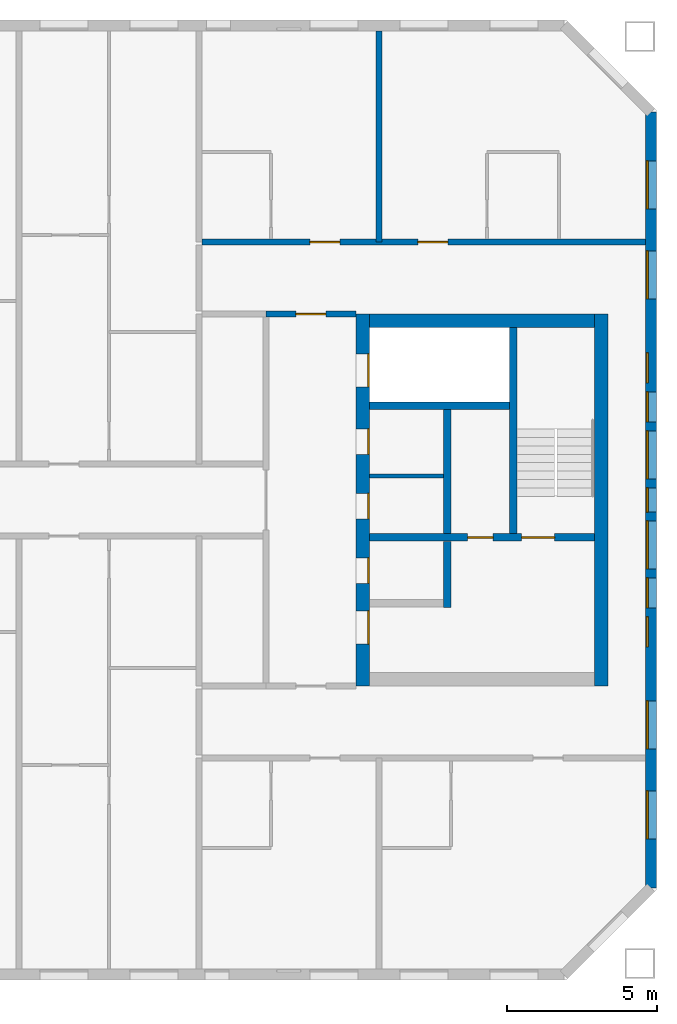
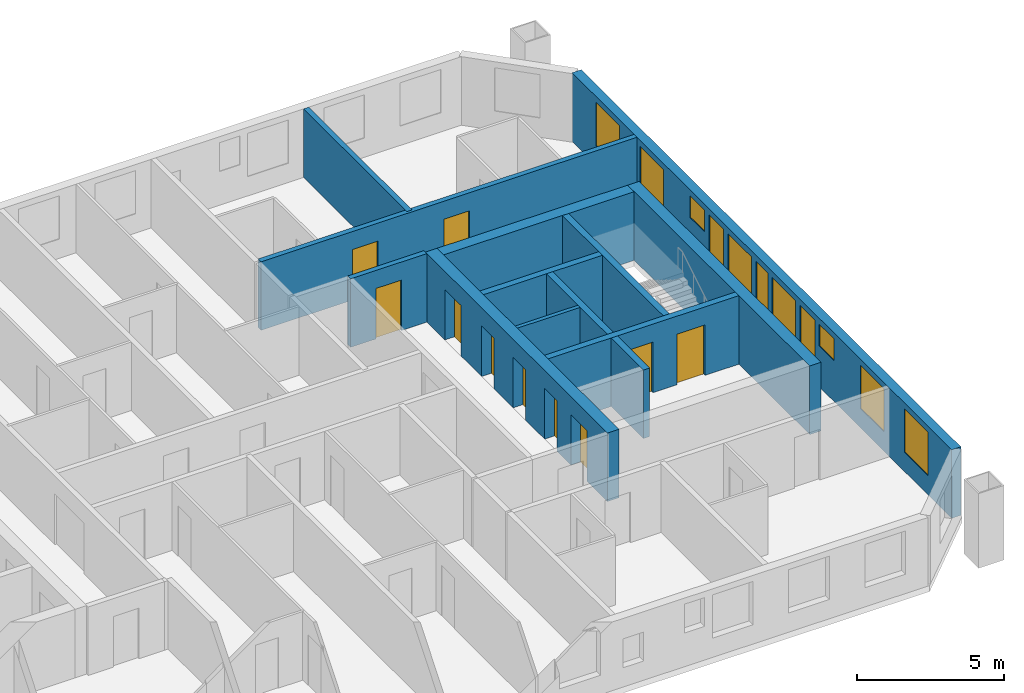
# One storey, part 12 of 15: 13 walls, 11 windows, 10 doors, 21 openings.
"""IFC4 building model written with IfcOpenShell, lengths in metres."""

from ifc_helpers import new_model, si_unit, direction, frame, frame_2d, origin, place, context, subcontext, project, spatial, rectangle, extrude, material, layer, layer_set, type_object, element, fill, save


model = new_model("IFC4")

# Units and contexts
model_context = context("Model", 3, precision=1e-05, world=origin(), true_north=direction((0.0, 1.0)))
body_context = subcontext(model_context, "Body", "Model", "MODEL_VIEW")
ifc_project = project(units=[si_unit("LENGTHUNIT", "METRE"), si_unit("AREAUNIT", "SQUARE_METRE"), si_unit("VOLUMEUNIT", "CUBIC_METRE"), si_unit("PLANEANGLEUNIT", "RADIAN"), si_unit("MASSUNIT", "GRAM", prefix="KILO")], contexts=[model_context])

# Site, building, storey
site_placement = place(None, origin())
site = spatial("IfcSite", under=ifc_project, at=site_placement, CompositionType="ELEMENT")
building_placement = place(site_placement, origin())
building = spatial("IfcBuilding", under=site, at=building_placement, Name="Tuart Gate Housing", CompositionType="ELEMENT")
storey_placement = place(building_placement, frame((0.0, 0.0, 185.10009765625)))
storey = spatial("IfcBuildingStorey", under=building, at=storey_placement, Name="L52", CompositionType="ELEMENT", Elevation=185.10009765625)

# Wall, openings, windows
ifc_material_1 = material(Name="Brick", Category="masonry")
ifc_layer_1 = layer(ifc_material_1, 0.360107421875)
ifc_layer_set_1 = layer_set([ifc_layer_1], Name="Brick pier and spandrel wall 360")
wall_type_1 = type_object("IfcWallType", Name="Brick pier and spandrel wall 360", PredefinedType="STANDARD", material=ifc_layer_set_1)
wall_1_placement = place(storey_placement, frame((170.070068359375, 57.07470703125, 0.0), z_axis=(0.0, 0.0, 1.0), x_axis=(0.0, 1.0, 0.0)))
wall_1 = element("IfcWall", 1, at=wall_1_placement, inside=storey, type_object=wall_type_1, Name="External wall B-E L52", PredefinedType="STANDARD", context=body_context, shape_type="SweptSolid", body=[
    extrude(rectangle(XDim=25.850830078125, YDim=0.360107421875, at=frame_2d((12.92529296875, 0.0))), origin(), (0.0, 0.0, 1.0), 2.849853515625),
])
opening_1_placement = place(wall_1_placement, frame((1.62548828125, 0.0, 0.800048828125)))
opening_1 = element("IfcOpeningElement", 2, at=opening_1_placement, cuts=wall_1, Name="Opening W1", PredefinedType="OPENING", context=body_context, shape_type="SweptSolid", body=[
    extrude(rectangle(XDim=1.60009765625, YDim=1.800048828125, at=frame_2d((0.800048828125, 0.89990234375))), frame((0.0, 0.18994140625, 0.0), z_axis=(0.0, -1.0, 0.0), x_axis=(1.0, 0.0, 0.0)), (0.0, 0.0, 1.0), 0.380126953125),
])
opening_2_placement = place(wall_1_placement, frame((4.62548828125, 0.0, 0.800048828125)))
opening_2 = element("IfcOpeningElement", 3, at=opening_2_placement, cuts=wall_1, Name="Opening W1", PredefinedType="OPENING", context=body_context, shape_type="SweptSolid", body=[
    extrude(rectangle(XDim=1.60009765625, YDim=1.800048828125, at=frame_2d((0.800048828125, 0.89990234375))), frame((0.0, 0.18994140625, 0.0), z_axis=(0.0, -1.0, 0.0), x_axis=(1.0, 0.0, 0.0)), (0.0, 0.0, 1.0), 0.380126953125),
])
opening_3_placement = place(wall_1_placement, frame((8.025390625, 0.0, 1.699951171875)))
opening_3 = element("IfcOpeningElement", 4, at=opening_3_placement, cuts=wall_1, Name="Opening W1U", PredefinedType="OPENING", context=body_context, shape_type="SweptSolid", body=[
    extrude(rectangle(XDim=1.0, YDim=0.89990234375, at=frame_2d((0.5, 0.449951171875))), frame((0.0, 0.18994140625, 0.0), z_axis=(0.0, -1.0, 0.0), x_axis=(1.0, 0.0, 0.0)), (0.0, 0.0, 1.0), 0.380126953125),
])
opening_4_placement = place(wall_1_placement, frame((10.62548828125, 0.0, 0.800048828125)))
opening_4 = element("IfcOpeningElement", 5, at=opening_4_placement, cuts=wall_1, Name="Opening W1", PredefinedType="OPENING", context=body_context, shape_type="SweptSolid", body=[
    extrude(rectangle(XDim=1.60009765625, YDim=1.800048828125, at=frame_2d((0.800048828125, 0.89990234375))), frame((0.0, 0.18994140625, 0.0), z_axis=(0.0, -1.0, 0.0), x_axis=(1.0, 0.0, 0.0)), (0.0, 0.0, 1.0), 0.380126953125),
])
opening_5_placement = place(wall_1_placement, frame((13.62548828125, 0.0, 0.800048828125)))
opening_5 = element("IfcOpeningElement", 6, at=opening_5_placement, cuts=wall_1, Name="Opening W1", PredefinedType="OPENING", context=body_context, shape_type="SweptSolid", body=[
    extrude(rectangle(XDim=1.60009765625, YDim=1.800048828125, at=frame_2d((0.800048828125, 0.89990234375))), frame((0.0, 0.18994140625, 0.0), z_axis=(0.0, -1.0, 0.0), x_axis=(1.0, 0.0, 0.0)), (0.0, 0.0, 1.0), 0.380126953125),
])
opening_6_placement = place(wall_1_placement, frame((9.325439453125, 0.0, 0.800048828125)))
opening_6 = element("IfcOpeningElement", 7, at=opening_6_placement, cuts=wall_1, Name="Opening W1C", PredefinedType="OPENING", context=body_context, shape_type="SweptSolid", body=[
    extrude(rectangle(XDim=1.0, YDim=1.800048828125, at=frame_2d((0.5, 0.89990234375))), frame((0.0, 0.18994140625, 0.0), z_axis=(0.0, -1.0, 0.0), x_axis=(1.0, 0.0, 0.0)), (0.0, 0.0, 1.0), 0.380126953125),
])
opening_7_placement = place(wall_1_placement, frame((19.62548828125, 0.0, 0.800048828125)))
opening_7 = element("IfcOpeningElement", 8, at=opening_7_placement, cuts=wall_1, Name="Opening W1", PredefinedType="OPENING", context=body_context, shape_type="SweptSolid", body=[
    extrude(rectangle(XDim=1.60009765625, YDim=1.800048828125, at=frame_2d((0.800048828125, 0.89990234375))), frame((0.0, 0.18994140625, 0.0), z_axis=(0.0, -1.0, 0.0), x_axis=(1.0, 0.0, 0.0)), (0.0, 0.0, 1.0), 0.380126953125),
])
opening_8_placement = place(wall_1_placement, frame((22.62548828125, 0.0, 0.800048828125)))
opening_8 = element("IfcOpeningElement", 9, at=opening_8_placement, cuts=wall_1, Name="Opening W1", PredefinedType="OPENING", context=body_context, shape_type="SweptSolid", body=[
    extrude(rectangle(XDim=1.60009765625, YDim=1.800048828125, at=frame_2d((0.800048828125, 0.89990234375))), frame((0.0, 0.18994140625, 0.0), z_axis=(0.0, -1.0, 0.0), x_axis=(1.0, 0.0, 0.0)), (0.0, 0.0, 1.0), 0.380126953125),
])
opening_9_placement = place(wall_1_placement, frame((12.525390625, 0.0, 0.800048828125)))
opening_9 = element("IfcOpeningElement", 10, at=opening_9_placement, cuts=wall_1, Name="Opening W1D", PredefinedType="OPENING", context=body_context, shape_type="SweptSolid", body=[
    extrude(rectangle(XDim=0.800048828125, YDim=1.800048828125, at=frame_2d((0.39990234375, 0.89990234375))), frame((0.0, 0.18994140625, 0.0), z_axis=(0.0, -1.0, 0.0), x_axis=(1.0, 0.0, 0.0)), (0.0, 0.0, 1.0), 0.380126953125),
])
opening_10_placement = place(wall_1_placement, frame((15.525390625, 0.0, 0.800048828125)))
opening_10 = element("IfcOpeningElement", 11, at=opening_10_placement, cuts=wall_1, Name="Opening W1C", PredefinedType="OPENING", context=body_context, shape_type="SweptSolid", body=[
    extrude(rectangle(XDim=1.0, YDim=1.800048828125, at=frame_2d((0.5, 0.89990234375))), frame((0.0, 0.18994140625, 0.0), z_axis=(0.0, -1.0, 0.0), x_axis=(1.0, 0.0, 0.0)), (0.0, 0.0, 1.0), 0.380126953125),
])
opening_11_placement = place(wall_1_placement, frame((16.825439453125, 0.0, 1.699951171875)))
opening_11 = element("IfcOpeningElement", 12, at=opening_11_placement, cuts=wall_1, Name="Opening W1U", PredefinedType="OPENING", context=body_context, shape_type="SweptSolid", body=[
    extrude(rectangle(XDim=1.0, YDim=0.89990234375, at=frame_2d((0.5, 0.449951171875))), frame((0.0, 0.18994140625, 0.0), z_axis=(0.0, -1.0, 0.0), x_axis=(1.0, 0.0, 0.0)), (0.0, 0.0, 1.0), 0.380126953125),
])
ifc_material_2 = material(Name="Aluminium frame with clear glass", Category="aluminium")
window_type_1 = type_object("IfcWindowType", Name="Punched window 1000 x 1800", PartitioningType="SINGLE_PANEL", PredefinedType="WINDOW", material=ifc_material_2)
window_1_placement = place(opening_6_placement, origin())
window_1 = element("IfcWindow", 13, at=window_1_placement, inside=storey, type_object=window_type_1, Name="Window W1C", OverallHeight=1.800048828125, OverallWidth=1.0, PartitioningType="SINGLE_PANEL", PredefinedType="WINDOW", context=body_context, shape_type="SweptSolid", body=[
    extrude(rectangle(XDim=1.0, YDim=1.800048828125, at=frame_2d((0.5, 0.89990234375))), frame((0.0, 0.150146484375, 0.0), z_axis=(0.0, -1.0, 0.0), x_axis=(1.0, 0.0, 0.0)), (0.0, 0.0, 1.0), 0.06005859375),
])
fill(opening_6, window_1)
window_2_placement = place(opening_10_placement, origin())
window_2 = element("IfcWindow", 14, at=window_2_placement, inside=storey, type_object=window_type_1, Name="Window W1C", OverallHeight=1.800048828125, OverallWidth=1.0, PartitioningType="SINGLE_PANEL", PredefinedType="WINDOW", context=body_context, shape_type="SweptSolid", body=[
    extrude(rectangle(XDim=1.0, YDim=1.800048828125, at=frame_2d((0.5, 0.89990234375))), frame((0.0, 0.150146484375, 0.0), z_axis=(0.0, -1.0, 0.0), x_axis=(1.0, 0.0, 0.0)), (0.0, 0.0, 1.0), 0.06005859375),
])
fill(opening_10, window_2)
ifc_material_3 = material(Name="Aluminium frame with clear glass", Category="aluminium")
window_type_2 = type_object("IfcWindowType", Name="Punched window 1000 x 900", PartitioningType="SINGLE_PANEL", PredefinedType="WINDOW", material=ifc_material_3)
window_3_placement = place(opening_3_placement, origin())
window_3 = element("IfcWindow", 15, at=window_3_placement, inside=storey, type_object=window_type_2, Name="Window W1U", OverallHeight=0.89990234375, OverallWidth=1.0, PartitioningType="SINGLE_PANEL", PredefinedType="WINDOW", context=body_context, shape_type="SweptSolid", body=[
    extrude(rectangle(XDim=1.0, YDim=0.89990234375, at=frame_2d((0.5, 0.449951171875))), frame((0.0, 0.150146484375, 0.0), z_axis=(0.0, -1.0, 0.0), x_axis=(1.0, 0.0, 0.0)), (0.0, 0.0, 1.0), 0.06005859375),
])
fill(opening_3, window_3)
window_4_placement = place(opening_11_placement, origin())
window_4 = element("IfcWindow", 16, at=window_4_placement, inside=storey, type_object=window_type_2, Name="Window W1U", OverallHeight=0.89990234375, OverallWidth=1.0, PartitioningType="SINGLE_PANEL", PredefinedType="WINDOW", context=body_context, shape_type="SweptSolid", body=[
    extrude(rectangle(XDim=1.0, YDim=0.89990234375, at=frame_2d((0.5, 0.449951171875))), frame((0.0, 0.150146484375, 0.0), z_axis=(0.0, -1.0, 0.0), x_axis=(1.0, 0.0, 0.0)), (0.0, 0.0, 1.0), 0.06005859375),
])
fill(opening_11, window_4)
ifc_material_4 = material(Name="Aluminium frame with clear glass", Category="aluminium")
window_type_3 = type_object("IfcWindowType", Name="Punched window 1600 x 1800", PartitioningType="SINGLE_PANEL", PredefinedType="WINDOW", material=ifc_material_4)
window_5_placement = place(opening_1_placement, origin())
window_5 = element("IfcWindow", 17, at=window_5_placement, inside=storey, type_object=window_type_3, Name="Window W1", OverallHeight=1.800048828125, OverallWidth=1.60009765625, PartitioningType="SINGLE_PANEL", PredefinedType="WINDOW", context=body_context, shape_type="SweptSolid", body=[
    extrude(rectangle(XDim=1.60009765625, YDim=1.800048828125, at=frame_2d((0.800048828125, 0.89990234375))), frame((0.0, 0.150146484375, 0.0), z_axis=(0.0, -1.0, 0.0), x_axis=(1.0, 0.0, 0.0)), (0.0, 0.0, 1.0), 0.06005859375),
])
fill(opening_1, window_5)
window_6_placement = place(opening_2_placement, origin())
window_6 = element("IfcWindow", 18, at=window_6_placement, inside=storey, type_object=window_type_3, Name="Window W1", OverallHeight=1.800048828125, OverallWidth=1.60009765625, PartitioningType="SINGLE_PANEL", PredefinedType="WINDOW", context=body_context, shape_type="SweptSolid", body=[
    extrude(rectangle(XDim=1.60009765625, YDim=1.800048828125, at=frame_2d((0.800048828125, 0.89990234375))), frame((0.0, 0.150146484375, 0.0), z_axis=(0.0, -1.0, 0.0), x_axis=(1.0, 0.0, 0.0)), (0.0, 0.0, 1.0), 0.06005859375),
])
fill(opening_2, window_6)
window_7_placement = place(opening_4_placement, origin())
window_7 = element("IfcWindow", 19, at=window_7_placement, inside=storey, type_object=window_type_3, Name="Window W1", OverallHeight=1.800048828125, OverallWidth=1.60009765625, PartitioningType="SINGLE_PANEL", PredefinedType="WINDOW", context=body_context, shape_type="SweptSolid", body=[
    extrude(rectangle(XDim=1.60009765625, YDim=1.800048828125, at=frame_2d((0.800048828125, 0.89990234375))), frame((0.0, 0.150146484375, 0.0), z_axis=(0.0, -1.0, 0.0), x_axis=(1.0, 0.0, 0.0)), (0.0, 0.0, 1.0), 0.06005859375),
])
fill(opening_4, window_7)
window_8_placement = place(opening_5_placement, origin())
window_8 = element("IfcWindow", 20, at=window_8_placement, inside=storey, type_object=window_type_3, Name="Window W1", OverallHeight=1.800048828125, OverallWidth=1.60009765625, PartitioningType="SINGLE_PANEL", PredefinedType="WINDOW", context=body_context, shape_type="SweptSolid", body=[
    extrude(rectangle(XDim=1.60009765625, YDim=1.800048828125, at=frame_2d((0.800048828125, 0.89990234375))), frame((0.0, 0.150146484375, 0.0), z_axis=(0.0, -1.0, 0.0), x_axis=(1.0, 0.0, 0.0)), (0.0, 0.0, 1.0), 0.06005859375),
])
fill(opening_5, window_8)
window_9_placement = place(opening_7_placement, origin())
window_9 = element("IfcWindow", 21, at=window_9_placement, inside=storey, type_object=window_type_3, Name="Window W1", OverallHeight=1.800048828125, OverallWidth=1.60009765625, PartitioningType="SINGLE_PANEL", PredefinedType="WINDOW", context=body_context, shape_type="SweptSolid", body=[
    extrude(rectangle(XDim=1.60009765625, YDim=1.800048828125, at=frame_2d((0.800048828125, 0.89990234375))), frame((0.0, 0.150146484375, 0.0), z_axis=(0.0, -1.0, 0.0), x_axis=(1.0, 0.0, 0.0)), (0.0, 0.0, 1.0), 0.06005859375),
])
fill(opening_7, window_9)
window_10_placement = place(opening_8_placement, origin())
window_10 = element("IfcWindow", 22, at=window_10_placement, inside=storey, type_object=window_type_3, Name="Window W1", OverallHeight=1.800048828125, OverallWidth=1.60009765625, PartitioningType="SINGLE_PANEL", PredefinedType="WINDOW", context=body_context, shape_type="SweptSolid", body=[
    extrude(rectangle(XDim=1.60009765625, YDim=1.800048828125, at=frame_2d((0.800048828125, 0.89990234375))), frame((0.0, 0.150146484375, 0.0), z_axis=(0.0, -1.0, 0.0), x_axis=(1.0, 0.0, 0.0)), (0.0, 0.0, 1.0), 0.06005859375),
])
fill(opening_8, window_10)
ifc_material_5 = material(Name="Aluminium frame with clear glass", Category="aluminium")
window_type_4 = type_object("IfcWindowType", Name="Punched window 800 x 1800", PartitioningType="SINGLE_PANEL", PredefinedType="WINDOW", material=ifc_material_5)
window_11_placement = place(opening_9_placement, origin())
window_11 = element("IfcWindow", 23, at=window_11_placement, inside=storey, type_object=window_type_4, Name="Window W1D", OverallHeight=1.800048828125, OverallWidth=0.800048828125, PartitioningType="SINGLE_PANEL", PredefinedType="WINDOW", context=body_context, shape_type="SweptSolid", body=[
    extrude(rectangle(XDim=0.800048828125, YDim=1.800048828125, at=frame_2d((0.39990234375, 0.89990234375))), frame((0.0, 0.150146484375, 0.0), z_axis=(0.0, -1.0, 0.0), x_axis=(1.0, 0.0, 0.0)), (0.0, 0.0, 1.0), 0.06005859375),
])
fill(opening_9, window_11)

# Walls
ifc_material_6 = material(Name="Plasterboard partition")
ifc_layer_2 = layer(ifc_material_6, 0.14990234375)
ifc_layer_set_2 = layer_set([ifc_layer_2], Name="Core partition 150")
wall_type_2 = type_object("IfcWallType", Name="Core partition 150", PredefinedType="PARTITIONING", material=ifc_layer_set_2)
wall_2_placement = place(storey_placement, frame((160.68994140625, 70.800048828125, 0.0), z_axis=(0.0, 0.0, 1.0), x_axis=(1.0, 0.0, 0.0)))
element("IfcWall", 24, at=wall_2_placement, inside=storey, type_object=wall_type_2, Name="Core partition BK.2", PredefinedType="PARTITIONING", context=body_context, shape_type="SweptSolid", body=[
    extrude(rectangle(XDim=2.47509765625, YDim=0.14990234375, at=frame_2d((1.237548828125, 0.0))), origin(), (0.0, 0.0, 1.0), 2.849853515625),
])
ifc_material_7 = material(Name="Concrete C40", Category="concrete")
ifc_layer_3 = layer(ifc_material_7, 0.25)
ifc_layer_set_3 = layer_set([ifc_layer_3], Name="Core wall 250 C40")
wall_type_3 = type_object("IfcWallType", Name="Core wall 250 C40", PredefinedType="SHEAR", material=ifc_layer_set_3)
wall_3_placement = place(storey_placement, frame((160.68994140625, 73.14990234375, 0.0), z_axis=(0.0, 0.0, 1.0), x_axis=(1.0, 0.0, 0.0)))
element("IfcWall", 25, at=wall_3_placement, inside=storey, type_object=wall_type_3, Name="Core wall BK.1", PredefinedType="SHEAR", context=body_context, shape_type="SweptSolid", body=[
    extrude(rectangle(XDim=4.675048828125, YDim=0.25, at=frame_2d((2.33740234375, 0.0))), origin(), (0.0, 0.0, 1.0), 2.849853515625),
])

# Wall, openings, doors
wall_4_placement = place(storey_placement, frame((160.68994140625, 68.75, 0.0), z_axis=(0.0, 0.0, 1.0), x_axis=(1.0, 0.0, 0.0)))
wall_4 = element("IfcWall", 26, at=wall_4_placement, inside=storey, type_object=wall_type_3, Name="Core wall BK.3", PredefinedType="SHEAR", context=body_context, shape_type="SweptSolid", body=[
    extrude(rectangle(XDim=7.5, YDim=0.25, at=frame_2d((3.75, 0.0))), origin(), (0.0, 0.0, 1.0), 2.849853515625),
])
opening_12_placement = place(wall_4_placement, frame((5.074951171875, 0.0, 0.0)))
opening_12 = element("IfcOpeningElement", 27, at=opening_12_placement, cuts=wall_4, Name="Opening D1929", PredefinedType="OPENING", context=body_context, shape_type="SweptSolid", body=[
    extrude(rectangle(XDim=1.10009765625, YDim=2.10009765625, at=frame_2d((0.550048828125, 1.050048828125))), frame((0.0, 0.135009765625, 0.0), z_axis=(0.0, -1.0, 0.0), x_axis=(1.0, 0.0, 0.0)), (0.0, 0.0, 1.0), 0.27001953125),
])
opening_13_placement = place(wall_4_placement, frame((3.27490234375, 0.0, 0.0)))
opening_13 = element("IfcOpeningElement", 28, at=opening_13_placement, cuts=wall_4, Name="Opening D1928", PredefinedType="OPENING", context=body_context, shape_type="SweptSolid", body=[
    extrude(rectangle(XDim=0.85009765625, YDim=2.10009765625, at=frame_2d((0.425048828125, 1.050048828125))), frame((0.0, 0.135009765625, 0.0), z_axis=(0.0, -1.0, 0.0), x_axis=(1.0, 0.0, 0.0)), (0.0, 0.0, 1.0), 0.27001953125),
])
ifc_material_8 = material(Name="Steel fire door", Category="steel")
door_type_1 = type_object("IfcDoorType", Name="Riser door 850 x 2100", OperationType="SINGLE_SWING_LEFT", PredefinedType="DOOR", material=ifc_material_8)
door_1_placement = place(opening_13_placement, origin())
door_1 = element("IfcDoor", 29, at=door_1_placement, inside=storey, type_object=door_type_1, Name="Service room door BK.W1", OperationType="SINGLE_SWING_LEFT", OverallHeight=2.10009765625, OverallWidth=0.85009765625, PredefinedType="DOOR", context=body_context, shape_type="SweptSolid", body=[
    extrude(rectangle(XDim=0.85009765625, YDim=2.10009765625, at=frame_2d((0.425048828125, 1.050048828125))), frame((0.0, 0.02490234375, 0.0), z_axis=(0.0, -1.0, 0.0), x_axis=(1.0, 0.0, 0.0)), (0.0, 0.0, 1.0), 0.050048828125),
])
fill(opening_13, door_1)
ifc_material_9 = material(Name="Steel fire door", Category="steel")
door_type_2 = type_object("IfcDoorType", Name="Stair door 1100 x 2100", OperationType="SINGLE_SWING_LEFT", PredefinedType="DOOR", material=ifc_material_9)
door_2_placement = place(opening_12_placement, origin())
door_2 = element("IfcDoor", 30, at=door_2_placement, inside=storey, type_object=door_type_2, Name="Stair door BK.SD", OperationType="SINGLE_SWING_LEFT", OverallHeight=2.10009765625, OverallWidth=1.10009765625, PredefinedType="DOOR", context=body_context, shape_type="SweptSolid", body=[
    extrude(rectangle(XDim=1.10009765625, YDim=2.10009765625, at=frame_2d((0.550048828125, 1.050048828125))), frame((0.0, 0.02490234375, 0.0), z_axis=(0.0, -1.0, 0.0), x_axis=(1.0, 0.0, 0.0)), (0.0, 0.0, 1.0), 0.050048828125),
])
fill(opening_12, door_2)

# Walls
wall_5_placement = place(storey_placement, frame((163.2900390625, 73.02490234375, 0.0), z_axis=(0.0, 0.0, 1.0), x_axis=(0.0, -1.0, 0.0)))
element("IfcWall", 31, at=wall_5_placement, inside=storey, type_object=wall_type_3, Name="Core wall BK.5", PredefinedType="SHEAR", context=body_context, shape_type="SweptSolid", body=[
    extrude(rectangle(XDim=4.14990234375, YDim=0.25, at=frame_2d((2.074951171875, 0.0))), origin(), (0.0, 0.0, 1.0), 2.849853515625),
])
wall_6_placement = place(storey_placement, frame((163.2900390625, 68.625, 0.0), z_axis=(0.0, 0.0, 1.0), x_axis=(0.0, -1.0, 0.0)))
element("IfcWall", 32, at=wall_6_placement, inside=storey, type_object=wall_type_3, Name="Core wall BK.6", PredefinedType="SHEAR", context=body_context, shape_type="SweptSolid", body=[
    extrude(rectangle(XDim=2.199951171875, YDim=0.25, at=frame_2d((1.10009765625, 0.0))), origin(), (0.0, 0.0, 1.0), 2.849853515625),
])
wall_7_placement = place(storey_placement, frame((165.489990234375, 75.75, 0.0), z_axis=(0.0, 0.0, 1.0), x_axis=(0.0, -1.0, 0.0)))
element("IfcWall", 33, at=wall_7_placement, inside=storey, type_object=wall_type_3, Name="Core wall BK.7", PredefinedType="SHEAR", context=body_context, shape_type="SweptSolid", body=[
    extrude(rectangle(XDim=6.875, YDim=0.25, at=frame_2d((3.4375, 0.0))), origin(), (0.0, 0.0, 1.0), 2.849853515625),
])

# Wall, openings, doors
ifc_material_10 = material(Name="Concrete C40", Category="concrete")
ifc_layer_4 = layer(ifc_material_10, 0.449951171875)
ifc_layer_set_4 = layer_set([ifc_layer_4], Name="Core wall 450 C40")
wall_type_4 = type_object("IfcWallType", Name="Core wall 450 C40", PredefinedType="SHEAR", material=ifc_layer_set_4)
wall_8_placement = place(storey_placement, frame((160.465087890625, 76.199951171875, 0.0), z_axis=(0.0, 0.0, 1.0), x_axis=(0.0, -1.0, 0.0)))
wall_8 = element("IfcWall", 34, at=wall_8_placement, inside=storey, type_object=wall_type_4, Name="Core wall BK front", PredefinedType="SHEAR", context=body_context, shape_type="SweptSolid", body=[
    extrude(rectangle(XDim=12.39990234375, YDim=0.449951171875, at=frame_2d((6.199951171875, 0.0))), origin(), (0.0, 0.0, 1.0), 2.849853515625),
])
opening_14_placement = place(wall_8_placement, frame((1.324951171875, 0.0, 0.0)))
opening_14 = element("IfcOpeningElement", 35, at=opening_14_placement, cuts=wall_8, Name="Opening LD-FB2", PredefinedType="OPENING", context=body_context, shape_type="SweptSolid", body=[
    extrude(rectangle(XDim=1.10009765625, YDim=2.10009765625, at=frame_2d((0.550048828125, 1.050048828125))), frame((0.0, 0.23486328125, 0.0), z_axis=(0.0, -1.0, 0.0), x_axis=(1.0, 0.0, 0.0)), (0.0, 0.0, 1.0), 0.469970703125),
])
opening_15_placement = place(wall_8_placement, frame((3.824951171875, 0.0, 0.0)))
opening_15 = element("IfcOpeningElement", 36, at=opening_15_placement, cuts=wall_8, Name="Opening D1922", PredefinedType="OPENING", context=body_context, shape_type="SweptSolid", body=[
    extrude(rectangle(XDim=0.85009765625, YDim=2.10009765625, at=frame_2d((0.425048828125, 1.050048828125))), frame((0.0, 0.23486328125, 0.0), z_axis=(0.0, -1.0, 0.0), x_axis=(1.0, 0.0, 0.0)), (0.0, 0.0, 1.0), 0.469970703125),
])
opening_16_placement = place(wall_8_placement, frame((5.97509765625, 0.0, 0.0)))
opening_16 = element("IfcOpeningElement", 37, at=opening_16_placement, cuts=wall_8, Name="Opening D1923", PredefinedType="OPENING", context=body_context, shape_type="SweptSolid", body=[
    extrude(rectangle(XDim=0.85009765625, YDim=2.10009765625, at=frame_2d((0.425048828125, 1.050048828125))), frame((0.0, 0.23486328125, 0.0), z_axis=(0.0, -1.0, 0.0), x_axis=(1.0, 0.0, 0.0)), (0.0, 0.0, 1.0), 0.469970703125),
])
opening_17_placement = place(wall_8_placement, frame((9.89990234375, 0.0, 0.0)))
opening_17 = element("IfcOpeningElement", 38, at=opening_17_placement, cuts=wall_8, Name="Opening D1921", PredefinedType="OPENING", context=body_context, shape_type="SweptSolid", body=[
    extrude(rectangle(XDim=1.10009765625, YDim=2.10009765625, at=frame_2d((0.550048828125, 1.050048828125))), frame((0.0, 0.23486328125, 0.0), z_axis=(0.0, -1.0, 0.0), x_axis=(1.0, 0.0, 0.0)), (0.0, 0.0, 1.0), 0.469970703125),
])
opening_18_placement = place(wall_8_placement, frame((8.125, 0.0, 0.0)))
opening_18 = element("IfcOpeningElement", 39, at=opening_18_placement, cuts=wall_8, Name="Opening D1924", PredefinedType="OPENING", context=body_context, shape_type="SweptSolid", body=[
    extrude(rectangle(XDim=0.85009765625, YDim=2.10009765625, at=frame_2d((0.425048828125, 1.050048828125))), frame((0.0, 0.23486328125, 0.0), z_axis=(0.0, -1.0, 0.0), x_axis=(1.0, 0.0, 0.0)), (0.0, 0.0, 1.0), 0.469970703125),
])
ifc_material_11 = material(Name="Stainless steel", Category="steel")
door_type_3 = type_object("IfcDoorType", Name="Landing door 1100 x 2100", OperationType="DOUBLE_DOOR_SLIDING", PredefinedType="DOOR", material=ifc_material_11)
door_3_placement = place(opening_14_placement, origin())
door_3 = element("IfcDoor", 40, at=door_3_placement, inside=storey, type_object=door_type_3, Name="Lift landing door FB2", OperationType="DOUBLE_DOOR_SLIDING", OverallHeight=2.10009765625, OverallWidth=1.10009765625, PredefinedType="DOOR", context=body_context, shape_type="SweptSolid", body=[
    extrude(rectangle(XDim=1.10009765625, YDim=2.10009765625, at=frame_2d((0.550048828125, 1.050048828125))), frame((0.0, 0.2099609375, 0.0), z_axis=(0.0, -1.0, 0.0), x_axis=(1.0, 0.0, 0.0)), (0.0, 0.0, 1.0), 0.050048828125),
])
fill(opening_14, door_3)
ifc_material_12 = material(Name="Steel fire door", Category="steel")
door_type_4 = type_object("IfcDoorType", Name="Lobby door 1100 x 2100", OperationType="SINGLE_SWING_LEFT", PredefinedType="DOOR", material=ifc_material_12)
door_4_placement = place(opening_17_placement, origin())
door_4 = element("IfcDoor", 41, at=door_4_placement, inside=storey, type_object=door_type_4, Name="Lobby entry door BK.EN", OperationType="SINGLE_SWING_LEFT", OverallHeight=2.10009765625, OverallWidth=1.10009765625, PredefinedType="DOOR", context=body_context, shape_type="SweptSolid", body=[
    extrude(rectangle(XDim=1.10009765625, YDim=2.10009765625, at=frame_2d((0.550048828125, 1.050048828125))), frame((0.0, 0.2099609375, 0.0), z_axis=(0.0, -1.0, 0.0), x_axis=(1.0, 0.0, 0.0)), (0.0, 0.0, 1.0), 0.050048828125),
])
fill(opening_17, door_4)
ifc_material_13 = material(Name="Steel fire door", Category="steel")
door_type_5 = type_object("IfcDoorType", Name="Service door 850 x 2100", OperationType="SINGLE_SWING_LEFT", PredefinedType="DOOR", material=ifc_material_13)
door_5_placement = place(opening_15_placement, origin())
door_5 = element("IfcDoor", 42, at=door_5_placement, inside=storey, type_object=door_type_5, Name="Service room door BK.FR1", OperationType="SINGLE_SWING_LEFT", OverallHeight=2.10009765625, OverallWidth=0.85009765625, PredefinedType="DOOR", context=body_context, shape_type="SweptSolid", body=[
    extrude(rectangle(XDim=0.85009765625, YDim=2.10009765625, at=frame_2d((0.425048828125, 1.050048828125))), frame((0.0, 0.2099609375, 0.0), z_axis=(0.0, -1.0, 0.0), x_axis=(1.0, 0.0, 0.0)), (0.0, 0.0, 1.0), 0.050048828125),
])
fill(opening_15, door_5)
door_6_placement = place(opening_16_placement, origin())
door_6 = element("IfcDoor", 43, at=door_6_placement, inside=storey, type_object=door_type_5, Name="Service room door BK.FR2", OperationType="SINGLE_SWING_LEFT", OverallHeight=2.10009765625, OverallWidth=0.85009765625, PredefinedType="DOOR", context=body_context, shape_type="SweptSolid", body=[
    extrude(rectangle(XDim=0.85009765625, YDim=2.10009765625, at=frame_2d((0.425048828125, 1.050048828125))), frame((0.0, 0.2099609375, 0.0), z_axis=(0.0, -1.0, 0.0), x_axis=(1.0, 0.0, 0.0)), (0.0, 0.0, 1.0), 0.050048828125),
])
fill(opening_16, door_6)
door_7_placement = place(opening_18_placement, origin())
door_7 = element("IfcDoor", 44, at=door_7_placement, inside=storey, type_object=door_type_5, Name="Service room door BK.T1", OperationType="SINGLE_SWING_LEFT", OverallHeight=2.10009765625, OverallWidth=0.85009765625, PredefinedType="DOOR", context=body_context, shape_type="SweptSolid", body=[
    extrude(rectangle(XDim=0.85009765625, YDim=2.10009765625, at=frame_2d((0.425048828125, 1.050048828125))), frame((0.0, 0.2099609375, 0.0), z_axis=(0.0, -1.0, 0.0), x_axis=(1.0, 0.0, 0.0)), (0.0, 0.0, 1.0), 0.050048828125),
])
fill(opening_18, door_7)

# Walls
wall_9_placement = place(storey_placement, frame((168.4150390625, 76.199951171875, 0.0), z_axis=(0.0, 0.0, 1.0), x_axis=(0.0, -1.0, 0.0)))
element("IfcWall", 45, at=wall_9_placement, inside=storey, type_object=wall_type_4, Name="Core wall BK back", PredefinedType="SHEAR", context=body_context, shape_type="SweptSolid", body=[
    extrude(rectangle(XDim=12.39990234375, YDim=0.449951171875, at=frame_2d((6.199951171875, 0.0))), origin(), (0.0, 0.0, 1.0), 2.849853515625),
])
wall_10_placement = place(storey_placement, frame((160.68994140625, 75.97509765625, 0.0), z_axis=(0.0, 0.0, 1.0), x_axis=(1.0, 0.0, 0.0)))
element("IfcWall", 46, at=wall_10_placement, inside=storey, type_object=wall_type_4, Name="Core wall BK south", PredefinedType="SHEAR", context=body_context, shape_type="SweptSolid", body=[
    extrude(rectangle(XDim=7.5, YDim=0.449951171875, at=frame_2d((3.75, 0.0))), origin(), (0.0, 0.0, 1.0), 2.849853515625),
])

# Wall, openings, doors
ifc_material_14 = material(Name="Concrete masonry 15 MPa", Category="masonry")
ifc_layer_5 = layer(ifc_material_14, 0.199951171875)
ifc_layer_set_5 = layer_set([ifc_layer_5], Name="Corridor wall masonry 200")
wall_type_5 = type_object("IfcWallType", Name="Corridor wall masonry 200", PredefinedType="PARTITIONING", material=ifc_layer_set_5)
wall_11_placement = place(storey_placement, frame((155.10009765625, 78.60009765625, 0.0), z_axis=(0.0, 0.0, 1.0), x_axis=(1.0, 0.0, 0.0)))
wall_11 = element("IfcWall", 47, at=wall_11_placement, inside=storey, type_object=wall_type_5, Name="Corridor wall masonry 200", PredefinedType="PARTITIONING", context=body_context, shape_type="SweptSolid", body=[
    extrude(rectangle(XDim=14.789794921875, YDim=0.199951171875, at=frame_2d((7.39501953125, 0.0))), origin(), (0.0, 0.0, 1.0), 2.849853515625),
])
opening_19_placement = place(wall_11_placement, frame((3.60009765625, 0.0, 0.0)))
opening_19 = element("IfcOpeningElement", 48, at=opening_19_placement, cuts=wall_11, Name="Opening D1904", PredefinedType="OPENING", context=body_context, shape_type="SweptSolid", body=[
    extrude(rectangle(XDim=1.0, YDim=2.10009765625, at=frame_2d((0.5, 1.050048828125))), frame((0.0, 0.10986328125, 0.0), z_axis=(0.0, -1.0, 0.0), x_axis=(1.0, 0.0, 0.0)), (0.0, 0.0, 1.0), 0.219970703125),
])
opening_20_placement = place(wall_11_placement, frame((7.199951171875, 0.0, 0.0)))
opening_20 = element("IfcOpeningElement", 49, at=opening_20_placement, cuts=wall_11, Name="Opening D1905", PredefinedType="OPENING", context=body_context, shape_type="SweptSolid", body=[
    extrude(rectangle(XDim=1.0, YDim=2.10009765625, at=frame_2d((0.5, 1.050048828125))), frame((0.0, 0.10986328125, 0.0), z_axis=(0.0, -1.0, 0.0), x_axis=(1.0, 0.0, 0.0)), (0.0, 0.0, 1.0), 0.219970703125),
])
ifc_material_15 = material(Name="Timber door leaf in steel frame", Category="steel")
door_type_6 = type_object("IfcDoorType", Name="Flat entrance door 1000", OperationType="SINGLE_SWING_LEFT", PredefinedType="DOOR", material=ifc_material_15)
door_8_placement = place(opening_19_placement, origin())
door_8 = element("IfcDoor", 50, at=door_8_placement, inside=storey, type_object=door_type_6, Name="Flat entrance door", OperationType="SINGLE_SWING_LEFT", OverallHeight=2.10009765625, OverallWidth=1.0, PredefinedType="DOOR", context=body_context, shape_type="SweptSolid", body=[
    extrude(rectangle(XDim=1.0, YDim=2.10009765625, at=frame_2d((0.5, 1.050048828125))), frame((0.0, 0.02490234375, 0.0), z_axis=(0.0, -1.0, 0.0), x_axis=(1.0, 0.0, 0.0)), (0.0, 0.0, 1.0), 0.050048828125),
])
fill(opening_19, door_8)
door_9_placement = place(opening_20_placement, origin())
door_9 = element("IfcDoor", 51, at=door_9_placement, inside=storey, type_object=door_type_6, Name="Flat entrance door", OperationType="SINGLE_SWING_LEFT", OverallHeight=2.10009765625, OverallWidth=1.0, PredefinedType="DOOR", context=body_context, shape_type="SweptSolid", body=[
    extrude(rectangle(XDim=1.0, YDim=2.10009765625, at=frame_2d((0.5, 1.050048828125))), frame((0.0, 0.02490234375, 0.0), z_axis=(0.0, -1.0, 0.0), x_axis=(1.0, 0.0, 0.0)), (0.0, 0.0, 1.0), 0.050048828125),
])
fill(opening_20, door_9)

# Wall, opening, door
ifc_material_16 = material(Name="Concrete masonry 15 MPa", Category="masonry")
ifc_layer_6 = layer(ifc_material_16, 0.199951171875)
ifc_layer_set_6 = layer_set([ifc_layer_6], Name="Enclosure wall masonry 200")
wall_type_6 = type_object("IfcWallType", Name="Enclosure wall masonry 200", PredefinedType="PARTITIONING", material=ifc_layer_set_6)
wall_12_placement = place(storey_placement, frame((157.239990234375, 76.199951171875, 0.0), z_axis=(0.0, 0.0, 1.0), x_axis=(1.0, 0.0, 0.0)))
wall_12 = element("IfcWall", 52, at=wall_12_placement, inside=storey, type_object=wall_type_6, Name="Enclosure wall masonry 200", PredefinedType="PARTITIONING", context=body_context, shape_type="SweptSolid", body=[
    extrude(rectangle(XDim=3.0, YDim=0.199951171875, at=frame_2d((1.5, 0.0))), origin(), (0.0, 0.0, 1.0), 2.849853515625),
])
opening_21_placement = place(wall_12_placement, frame((1.0, 0.0, 0.0)))
opening_21 = element("IfcOpeningElement", 53, at=opening_21_placement, cuts=wall_12, Name="Opening D1912", PredefinedType="OPENING", context=body_context, shape_type="SweptSolid", body=[
    extrude(rectangle(XDim=1.0, YDim=2.10009765625, at=frame_2d((0.5, 1.050048828125))), frame((0.0, 0.10986328125, 0.0), z_axis=(0.0, -1.0, 0.0), x_axis=(1.0, 0.0, 0.0)), (0.0, 0.0, 1.0), 0.219970703125),
])
ifc_material_17 = material(Name="Timber door leaf in steel frame", Category="steel")
door_type_7 = type_object("IfcDoorType", Name="Fire door 1000", OperationType="SINGLE_SWING_LEFT", PredefinedType="DOOR", material=ifc_material_17)
door_10_placement = place(opening_21_placement, origin())
door_10 = element("IfcDoor", 54, at=door_10_placement, inside=storey, type_object=door_type_7, Name="Fire door", OperationType="SINGLE_SWING_LEFT", OverallHeight=2.10009765625, OverallWidth=1.0, PredefinedType="DOOR", context=body_context, shape_type="SweptSolid", body=[
    extrude(rectangle(XDim=1.0, YDim=2.10009765625, at=frame_2d((0.5, 1.050048828125))), frame((0.0, 0.02490234375, 0.0), z_axis=(0.0, -1.0, 0.0), x_axis=(1.0, 0.0, 0.0)), (0.0, 0.0, 1.0), 0.050048828125),
])
fill(opening_21, door_10)

# Wall
ifc_material_18 = material(Name="Concrete C40", Category="concrete")
ifc_layer_7 = layer(ifc_material_18, 0.199951171875)
ifc_layer_set_7 = layer_set([ifc_layer_7], Name="Party wall concrete C40 200")
wall_type_7 = type_object("IfcWallType", Name="Party wall concrete C40 200", PredefinedType="SOLIDWALL", material=ifc_layer_set_7)
wall_13_placement = place(storey_placement, frame((161.0, 78.60009765625, 0.0), z_axis=(0.0, 0.0, 1.0), x_axis=(0.0, 1.0, 0.0)))
element("IfcWall", 55, at=wall_13_placement, inside=storey, type_object=wall_type_7, Name="Party wall concrete C40 200", PredefinedType="SOLIDWALL", context=body_context, shape_type="SweptSolid", body=[
    extrude(rectangle(XDim=7.039794921875, YDim=0.199951171875, at=frame_2d((3.52001953125, 0.0))), origin(), (0.0, 0.0, 1.0), 2.849853515625),
])

save(model, "model.ifc")
